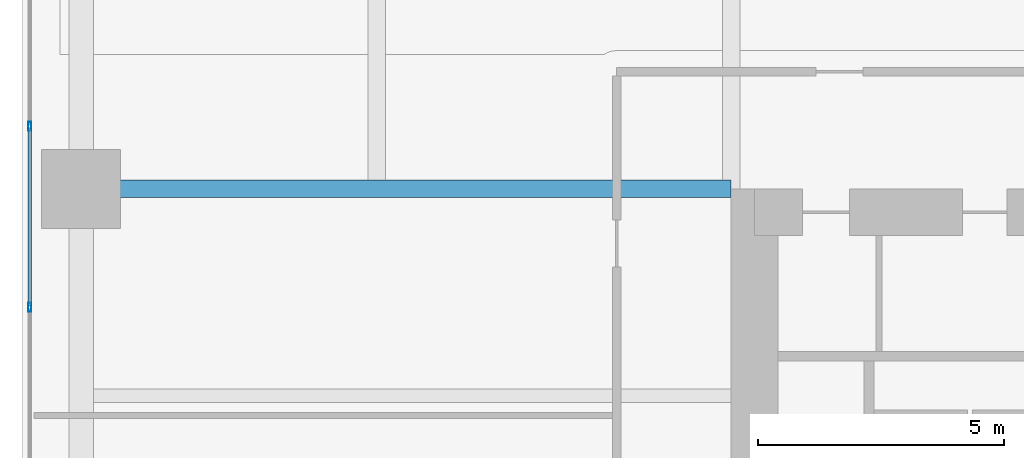
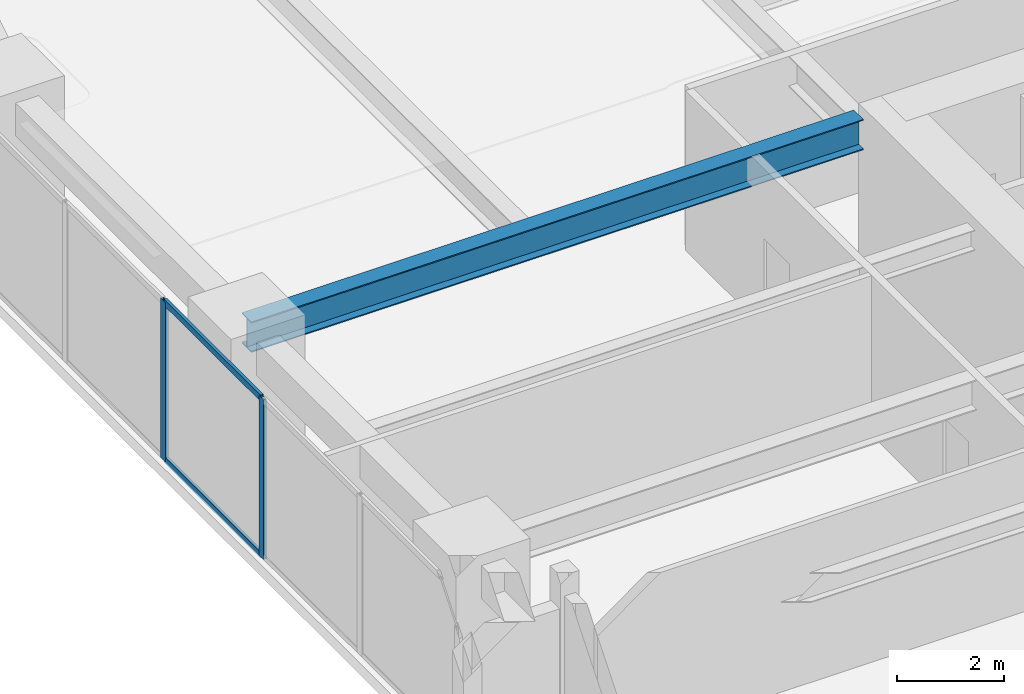
# One storey, part 11 of 28: 4 members, 1 beam, 1 element without a shape of its own.
"""IFC4 building model written with IfcOpenShell, lengths in metres."""

from ifc_helpers import new_model, si_unit, direction, frame, origin, origin_2d, place, context, subcontext, project, spatial, hollow_rectangle, i_section, extrude, material, layer, layer_set, material_profile, profile_set, type_object, element, aggregate, save


model = new_model("IFC4")

# Units and contexts
model_context = context("Model", 3, precision=1e-05, world=origin(), true_north=direction((0.0, 1.0)))
body_context = subcontext(model_context, "Body", "Model", "MODEL_VIEW")
ifc_project = project(units=[si_unit("LENGTHUNIT", "METRE"), si_unit("AREAUNIT", "SQUARE_METRE"), si_unit("VOLUMEUNIT", "CUBIC_METRE"), si_unit("PLANEANGLEUNIT", "RADIAN"), si_unit("MASSUNIT", "GRAM", prefix="KILO")], contexts=[model_context])

# Site, building, storey
site_placement = place(None, origin())
site = spatial("IfcSite", under=ifc_project, at=site_placement, CompositionType="ELEMENT")
building_placement = place(site_placement, origin())
building = spatial("IfcBuilding", under=site, at=building_placement, Name="Kiyonajd Concourse Tower", CompositionType="ELEMENT")
storey_placement = place(building_placement, frame((0.0, 0.0, 37.199951171875)))
storey = spatial("IfcBuildingStorey", under=building, at=storey_placement, Name="L10", CompositionType="ELEMENT", Elevation=37.199951171875)

# Beam
ifc_material_1 = material(Name="Steel ASTM A992 Grade 50", Category="steel")
ifc_material_profile_1 = material_profile(ifc_material_1, i_section(OverallWidth=0.35498046875, OverallDepth=0.695068359375, WebThickness=0.015380859375, FlangeThickness=0.02490234375, at=origin_2d()), Name="W690X217")
ifc_profile_set_1 = profile_set([ifc_material_profile_1], Name="Steel ASTM A992 Grade 50")
beam_type = type_object("IfcBeamType", Name="BM-TWR-690", PredefinedType="BEAM", material=ifc_profile_set_1)
beam_placement = place(storey_placement, frame((19.199951171875, 44.39990234375, 3.29248046875), z_axis=(1.0, 0.0, 0.0), x_axis=(0.0, 1.0, 0.0)))
element("IfcBeam", 1, at=beam_placement, inside=storey, type_object=beam_type, Name="L10 West Lease Girder", PredefinedType="BEAM", context=body_context, shape_type="SweptSolid", body=[
    extrude(i_section(OverallWidth=0.35498046875, OverallDepth=0.695068359375, WebThickness=0.015380859375, FlangeThickness=0.02490234375, at=origin_2d()), origin(), (0.0, 0.0, 1.0), 13.199951171875),
])

# Curtain wall, members
ifc_material_2 = material(Name="Thermally Broken Anodised Aluminium", Category="aluminium")
ifc_layer = layer(ifc_material_2, 0.179931640625)
ifc_layer_set = layer_set([ifc_layer], Name="Thermally Broken Anodised Aluminium")
curtain_wall_type = type_object("IfcCurtainWallType", Name="CW-SYS-02", PredefinedType="NOTDEFINED", material=ifc_layer_set)
curtain_wall_placement = place(storey_placement, origin())
curtain_wall = element("IfcCurtainWall", 2, at=curtain_wall_placement, inside=storey, type_object=curtain_wall_type, Name="L10 Unitised Curtain Wall CW2", PredefinedType="NOTDEFINED")
ifc_material_profile_2 = material_profile(ifc_material_2, hollow_rectangle(XDim=0.06494140625, YDim=0.179931640625, WallThickness=0.00390625, at=origin_2d()), Name="MULL-65x180")
ifc_profile_set_2 = profile_set([ifc_material_profile_2], Name="Thermally Broken Anodised Aluminium")
member_type_1 = type_object("IfcMemberType", Name="MB-CW-MULL1", PredefinedType="MULLION", material=ifc_profile_set_2)
member_1_placement = place(storey_placement, frame((18.159912109375, 41.996337890625, 0.0), z_axis=(0.0, 0.0, 1.0), x_axis=(-1.0, 0.0, 0.0)))
member_1 = element("IfcMember", 3, at=member_1_placement, type_object=member_type_1, Name="CW2 mullion 3", PredefinedType="MULLION", context=body_context, shape_type="SweptSolid", body=[
    extrude(hollow_rectangle(XDim=0.06494140625, YDim=0.179931640625, WallThickness=0.00390625, at=origin_2d()), origin(), (0.0, 0.0, 1.0), 3.64013671875),
])
member_2_placement = place(storey_placement, frame((18.159912109375, 45.66943359375, 0.0), z_axis=(0.0, 0.0, 1.0), x_axis=(-1.0, 0.0, 0.0)))
member_2 = element("IfcMember", 4, at=member_2_placement, type_object=member_type_1, Name="CW2 mullion 4", PredefinedType="MULLION", context=body_context, shape_type="SweptSolid", body=[
    extrude(hollow_rectangle(XDim=0.06494140625, YDim=0.179931640625, WallThickness=0.00390625, at=origin_2d()), origin(), (0.0, 0.0, 1.0), 3.64013671875),
])
ifc_material_profile_3 = material_profile(ifc_material_2, hollow_rectangle(XDim=0.06494140625, YDim=0.139892578125, WallThickness=0.00390625, at=origin_2d()), Name="TRAN-65x140")
ifc_profile_set_3 = profile_set([ifc_material_profile_3], Name="Thermally Broken Anodised Aluminium")
member_type_2 = type_object("IfcMemberType", Name="MB-CW-TRAN1", PredefinedType="USERDEFINED", material=ifc_profile_set_3)
member_3_placement = place(storey_placement, frame((18.159912109375, 42.02880859375, 0.032470703125), z_axis=(0.0, 1.0, 0.0), x_axis=(-1.0, 0.0, 0.0)))
member_3 = element("IfcMember", 5, at=member_3_placement, type_object=member_type_2, Name="CW2 transom 3.1", ObjectType="TRANSOM", PredefinedType="USERDEFINED", context=body_context, shape_type="SweptSolid", body=[
    extrude(hollow_rectangle(XDim=0.06494140625, YDim=0.139892578125, WallThickness=0.00390625, at=origin_2d()), origin(), (0.0, 0.0, 1.0), 3.608154296875),
])
member_4_placement = place(storey_placement, frame((18.159912109375, 42.02880859375, 3.607666015625), z_axis=(0.0, 1.0, 0.0), x_axis=(-1.0, 0.0, 0.0)))
member_4 = element("IfcMember", 6, at=member_4_placement, type_object=member_type_2, Name="CW2 transom 3.2", ObjectType="TRANSOM", PredefinedType="USERDEFINED", context=body_context, shape_type="SweptSolid", body=[
    extrude(hollow_rectangle(XDim=0.06494140625, YDim=0.139892578125, WallThickness=0.00390625, at=origin_2d()), origin(), (0.0, 0.0, 1.0), 3.608154296875),
])
aggregate(curtain_wall, [member_1, member_2, member_3, member_4])

save(model, "model.ifc")
